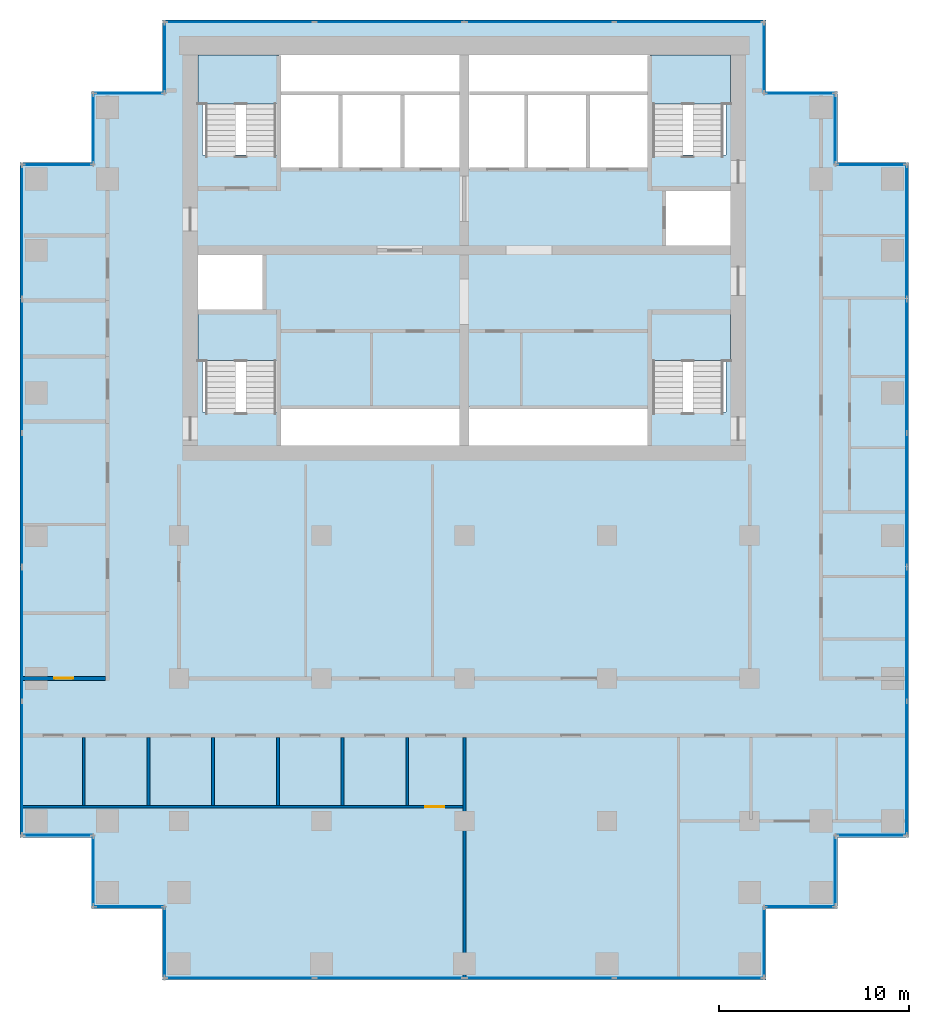
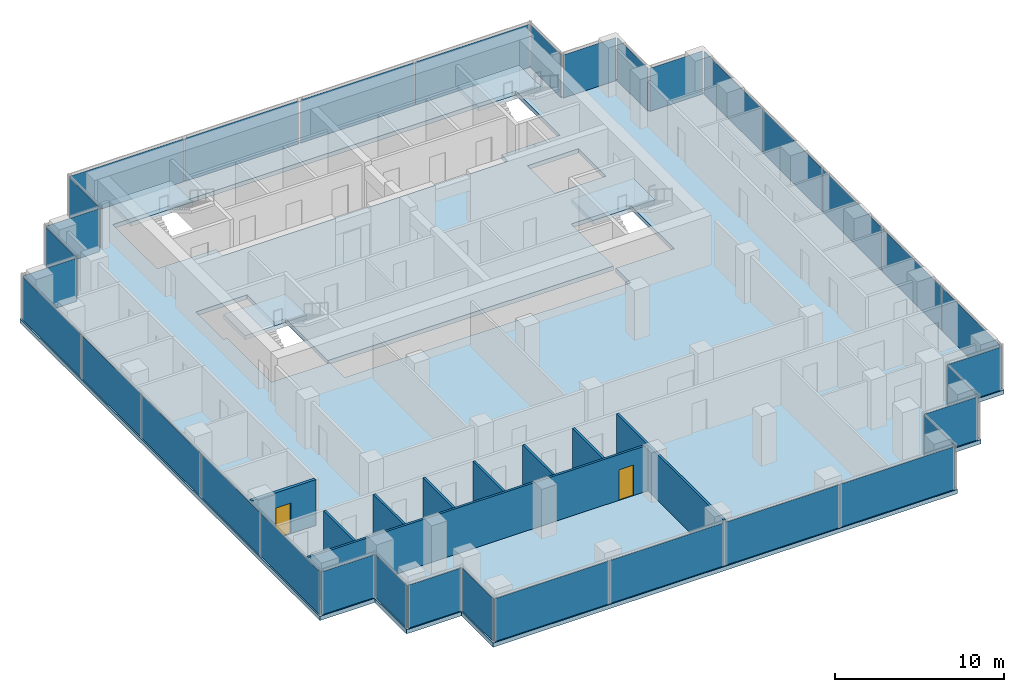
# One storey, part 6 of 11: 34 plates, 9 walls, 5 slabs, 2 doors, 2 openings, 30 elements without a shape of their own.
"""IFC4 building model written with IfcOpenShell, lengths in metres."""

from ifc_helpers import new_model, si_unit, direction, frame, frame_2d, origin, origin_2d, place, context, subcontext, project, spatial, polyline, rectangle, outline, extrude, material, layer, layer_set, type_object, element, fill, aggregate, save


model = new_model("IFC4")

# Units and contexts
model_context = context("Model", 3, precision=1e-05, world=origin(), true_north=direction((0.0, 1.0)))
body_context = subcontext(model_context, "Body", "Model", "MODEL_VIEW")
ifc_project = project(units=[si_unit("LENGTHUNIT", "METRE"), si_unit("AREAUNIT", "SQUARE_METRE"), si_unit("VOLUMEUNIT", "CUBIC_METRE"), si_unit("PLANEANGLEUNIT", "RADIAN"), si_unit("MASSUNIT", "GRAM", prefix="KILO")], contexts=[model_context])

# Site, building, storey
site_placement = place(None, origin())
site = spatial("IfcSite", under=ifc_project, at=site_placement, CompositionType="ELEMENT")
building_placement = place(site_placement, origin())
building = spatial("IfcBuilding", under=site, at=building_placement, Name="Pilkhan Gate Tower", CompositionType="ELEMENT")
storey_placement = place(building_placement, frame((0.0, 0.0, 151.300048828125)))
storey = spatial("IfcBuildingStorey", under=building, at=storey_placement, Name="L38", CompositionType="ELEMENT", Elevation=151.300048828125)

# Slab
ifc_material_1 = material(Name="Concrete C40/50", Category="concrete")
ifc_layer_1 = layer(ifc_material_1, 0.300048828125)
ifc_layer_set_1 = layer_set([ifc_layer_1], Name="Flat plate slab FP300")
slab_type_1 = type_object("IfcSlabType", Name="Flat plate slab FP300", PredefinedType="FLOOR", material=ifc_layer_set_1)
slab_1_placement = place(storey_placement, frame((0.0, 0.0, -0.300048828125)))
element("IfcSlab", 1, at=slab_1_placement, inside=storey, type_object=slab_type_1, Name="Floor slab L38", PredefinedType="FLOOR", context=body_context, shape_type="SweptSolid", body=[
    extrude(outline(polyline([(94.60009765625, 47.89990234375), (90.85009765625, 47.89990234375), (90.85009765625, 44.14990234375), (59.14990234375, 44.14990234375), (59.14990234375, 47.89990234375), (55.39990234375, 47.89990234375), (55.39990234375, 51.64990234375), (51.64990234375, 51.64990234375), (51.64990234375, 87.10009765625), (55.39990234375, 87.10009765625), (55.39990234375, 90.85009765625), (59.14990234375, 90.85009765625), (59.14990234375, 94.60009765625), (90.85009765625, 94.60009765625), (90.85009765625, 90.85009765625), (94.60009765625, 90.85009765625), (94.60009765625, 87.10009765625), (98.35009765625, 87.10009765625), (98.35009765625, 51.64990234375), (94.60009765625, 51.64990234375), (94.60009765625, 47.89990234375)]), holes=[polyline([(75.0, 72.25), (84.75, 72.25), (84.75, 74.0), (88.75, 74.0), (88.75, 79.25), (84.75, 79.25), (84.75, 74.25), (75.0, 74.25), (65.25, 74.25), (65.25, 79.25), (64.5, 79.25), (64.5, 82.5), (61.25, 82.5), (61.0, 82.5), (61.0, 79.25), (61.25, 79.25), (61.25, 74.0), (65.25, 74.0), (65.25, 72.25), (75.0, 72.25)]), polyline([(68.5, 86.75), (71.75, 86.75), (75.0, 86.75), (78.25, 86.75), (81.5, 86.75), (84.75, 86.75), (84.75, 87.5), (88.75, 87.5), (88.75, 92.75), (84.75, 92.75), (75.0, 92.75), (65.25, 92.75), (61.25, 92.75), (61.25, 87.5), (65.25, 87.5), (65.25, 86.75), (68.5, 86.75)]), polyline([(85.5, 85.75), (85.5, 82.5), (88.75, 82.5), (89.0, 82.5), (89.0, 85.75), (88.75, 85.75), (85.5, 85.75)])]), origin(), (0.0, 0.0, 1.0), 0.300048828125),
])

# Curtain wall, plates
ifc_material_2 = material(Name="Pale anodised aluminium, clear low-iron double glazing", Category="aluminium")
curtain_wall_type = type_object("IfcCurtainWallType", Name="Office unitised curtain wall CW-O1", PredefinedType="USERDEFINED", material=ifc_material_2)
curtain_wall_1_placement = place(storey_placement, origin())
curtain_wall_1 = element("IfcCurtainWall", 2, at=curtain_wall_1_placement, inside=storey, type_object=curtain_wall_type, Name="Office unitised curtain wall CW-O1 L38 E", ObjectType="UNITISED CURTAIN WALL", PredefinedType="USERDEFINED")
ifc_material_3 = material(Name="Clear low-iron double glazing", Category="glass")
ifc_layer_2 = layer(ifc_material_3, 0.0400390625)
ifc_layer_set_2 = layer_set([ifc_layer_2], Name="Glass panel CW-O1 40")
plate_type = type_object("IfcPlateType", Name="Glass panel CW-O1 40", PredefinedType="CURTAIN_PANEL", material=ifc_layer_set_2)
plate_1_placement = place(storey_placement, frame((98.25, 55.29248046875, 0.0), z_axis=(0.0, 0.0, 1.0), x_axis=(0.0, 1.0, 0.0)))
plate_1 = element("IfcPlate", 3, at=plate_1_placement, type_object=plate_type, Name="CW-O1 panel 1", PredefinedType="CURTAIN_PANEL", context=body_context, shape_type="SweptSolid", body=[
    extrude(rectangle(XDim=6.945068359375, YDim=0.0400390625, at=origin_2d()), origin(), (0.0, 0.0, 1.0), 3.10009765625),
])
plate_2_placement = place(storey_placement, frame((98.25, 62.3076171875, 0.0), z_axis=(0.0, 0.0, 1.0), x_axis=(0.0, 1.0, 0.0)))
plate_2 = element("IfcPlate", 4, at=plate_2_placement, type_object=plate_type, Name="CW-O1 panel 2", PredefinedType="CURTAIN_PANEL", context=body_context, shape_type="SweptSolid", body=[
    extrude(rectangle(XDim=6.945068359375, YDim=0.0400390625, at=origin_2d()), origin(), (0.0, 0.0, 1.0), 3.10009765625),
])
aggregate(curtain_wall_1, [plate_1, plate_2])

curtain_wall_2_placement = place(storey_placement, origin())
curtain_wall_2 = element("IfcCurtainWall", 5, at=curtain_wall_2_placement, inside=storey, type_object=curtain_wall_type, Name="Office unitised curtain wall CW-O1 L38 E", ObjectType="UNITISED CURTAIN WALL", PredefinedType="USERDEFINED")
plate_3_placement = place(storey_placement, frame((98.25, 69.392578125, 0.0), z_axis=(0.0, 0.0, 1.0), x_axis=(0.0, 1.0, 0.0)))
plate_3 = element("IfcPlate", 6, at=plate_3_placement, type_object=plate_type, Name="CW-O1 panel 1", PredefinedType="CURTAIN_PANEL", context=body_context, shape_type="SweptSolid", body=[
    extrude(rectangle(XDim=6.945068359375, YDim=0.0400390625, at=origin_2d()), origin(), (0.0, 0.0, 1.0), 3.10009765625),
])
plate_4_placement = place(storey_placement, frame((98.25, 76.407470703125, 0.0), z_axis=(0.0, 0.0, 1.0), x_axis=(0.0, 1.0, 0.0)))
plate_4 = element("IfcPlate", 7, at=plate_4_placement, type_object=plate_type, Name="CW-O1 panel 2", PredefinedType="CURTAIN_PANEL", context=body_context, shape_type="SweptSolid", body=[
    extrude(rectangle(XDim=6.945068359375, YDim=0.0400390625, at=origin_2d()), origin(), (0.0, 0.0, 1.0), 3.10009765625),
])
aggregate(curtain_wall_2, [plate_3, plate_4])

# Curtain wall, plate
curtain_wall_3_placement = place(storey_placement, origin())
curtain_wall_3 = element("IfcCurtainWall", 8, at=curtain_wall_3_placement, inside=storey, type_object=curtain_wall_type, Name="Office unitised curtain wall CW-O1 L38 E", ObjectType="UNITISED CURTAIN WALL", PredefinedType="USERDEFINED")
plate_5_placement = place(storey_placement, frame((98.25, 83.47509765625, 0.0), z_axis=(0.0, 0.0, 1.0), x_axis=(0.0, 1.0, 0.0)))
plate_5 = element("IfcPlate", 9, at=plate_5_placement, type_object=plate_type, Name="CW-O1 panel 1", PredefinedType="CURTAIN_PANEL", context=body_context, shape_type="SweptSolid", body=[
    extrude(rectangle(XDim=6.909912109375, YDim=0.0400390625, at=origin_2d()), origin(), (0.0, 0.0, 1.0), 3.10009765625),
])
aggregate(curtain_wall_3, [plate_5])

curtain_wall_4_placement = place(storey_placement, origin())
curtain_wall_4 = element("IfcCurtainWall", 10, at=curtain_wall_4_placement, inside=storey, type_object=curtain_wall_type, Name="Office unitised curtain wall CW-O1 L38 N", ObjectType="UNITISED CURTAIN WALL", PredefinedType="USERDEFINED")
plate_6_placement = place(storey_placement, frame((96.375, 87.0, 0.0), z_axis=(0.0, 0.0, 1.0), x_axis=(1.0, 0.0, 0.0)))
plate_6 = element("IfcPlate", 11, at=plate_6_placement, type_object=plate_type, Name="CW-O1 panel 1", PredefinedType="CURTAIN_PANEL", context=body_context, shape_type="SweptSolid", body=[
    extrude(rectangle(XDim=3.610107421875, YDim=0.0400390625, at=origin_2d()), origin(), (0.0, 0.0, 1.0), 3.10009765625),
])
aggregate(curtain_wall_4, [plate_6])

curtain_wall_5_placement = place(storey_placement, origin())
curtain_wall_5 = element("IfcCurtainWall", 12, at=curtain_wall_5_placement, inside=storey, type_object=curtain_wall_type, Name="Office unitised curtain wall CW-O1 L38 E", ObjectType="UNITISED CURTAIN WALL", PredefinedType="USERDEFINED")
plate_7_placement = place(storey_placement, frame((94.5, 88.875, 0.0), z_axis=(0.0, 0.0, 1.0), x_axis=(0.0, 1.0, 0.0)))
plate_7 = element("IfcPlate", 13, at=plate_7_placement, type_object=plate_type, Name="CW-O1 panel 1", PredefinedType="CURTAIN_PANEL", context=body_context, shape_type="SweptSolid", body=[
    extrude(rectangle(XDim=3.610107421875, YDim=0.0400390625, at=origin_2d()), origin(), (0.0, 0.0, 1.0), 3.10009765625),
])
aggregate(curtain_wall_5, [plate_7])

curtain_wall_6_placement = place(storey_placement, origin())
curtain_wall_6 = element("IfcCurtainWall", 14, at=curtain_wall_6_placement, inside=storey, type_object=curtain_wall_type, Name="Office unitised curtain wall CW-O1 L38 N", ObjectType="UNITISED CURTAIN WALL", PredefinedType="USERDEFINED")
plate_8_placement = place(storey_placement, frame((92.625, 90.75, 0.0), z_axis=(0.0, 0.0, 1.0), x_axis=(1.0, 0.0, 0.0)))
plate_8 = element("IfcPlate", 15, at=plate_8_placement, type_object=plate_type, Name="CW-O1 panel 1", PredefinedType="CURTAIN_PANEL", context=body_context, shape_type="SweptSolid", body=[
    extrude(rectangle(XDim=3.610107421875, YDim=0.0400390625, at=origin_2d()), origin(), (0.0, 0.0, 1.0), 3.10009765625),
])
aggregate(curtain_wall_6, [plate_8])

curtain_wall_7_placement = place(storey_placement, origin())
curtain_wall_7 = element("IfcCurtainWall", 16, at=curtain_wall_7_placement, inside=storey, type_object=curtain_wall_type, Name="Office unitised curtain wall CW-O1 L38 E", ObjectType="UNITISED CURTAIN WALL", PredefinedType="USERDEFINED")
plate_9_placement = place(storey_placement, frame((90.75, 92.625, 0.0), z_axis=(0.0, 0.0, 1.0), x_axis=(0.0, 1.0, 0.0)))
plate_9 = element("IfcPlate", 17, at=plate_9_placement, type_object=plate_type, Name="CW-O1 panel 1", PredefinedType="CURTAIN_PANEL", context=body_context, shape_type="SweptSolid", body=[
    extrude(rectangle(XDim=3.610107421875, YDim=0.0400390625, at=origin_2d()), origin(), (0.0, 0.0, 1.0), 3.10009765625),
])
aggregate(curtain_wall_7, [plate_9])

# Curtain wall, plates
curtain_wall_8_placement = place(storey_placement, origin())
curtain_wall_8 = element("IfcCurtainWall", 18, at=curtain_wall_8_placement, inside=storey, type_object=curtain_wall_type, Name="Office unitised curtain wall CW-O1 L38 N", ObjectType="UNITISED CURTAIN WALL", PredefinedType="USERDEFINED")
plate_10_placement = place(storey_placement, frame((63.205078125, 94.5, 0.0), z_axis=(0.0, 0.0, 1.0), x_axis=(1.0, 0.0, 0.0)))
plate_10 = element("IfcPlate", 19, at=plate_10_placement, type_object=plate_type, Name="CW-O1 panel 1", PredefinedType="CURTAIN_PANEL", context=body_context, shape_type="SweptSolid", body=[
    extrude(rectangle(XDim=7.77001953125, YDim=0.0400390625, at=origin_2d()), origin(), (0.0, 0.0, 1.0), 3.10009765625),
])
plate_11_placement = place(storey_placement, frame((71.044921875, 94.5, 0.0), z_axis=(0.0, 0.0, 1.0), x_axis=(1.0, 0.0, 0.0)))
plate_11 = element("IfcPlate", 20, at=plate_11_placement, type_object=plate_type, Name="CW-O1 panel 2", PredefinedType="CURTAIN_PANEL", context=body_context, shape_type="SweptSolid", body=[
    extrude(rectangle(XDim=7.77001953125, YDim=0.0400390625, at=origin_2d()), origin(), (0.0, 0.0, 1.0), 3.10009765625),
])
aggregate(curtain_wall_8, [plate_10, plate_11])

curtain_wall_9_placement = place(storey_placement, origin())
curtain_wall_9 = element("IfcCurtainWall", 21, at=curtain_wall_9_placement, inside=storey, type_object=curtain_wall_type, Name="Office unitised curtain wall CW-O1 L38 N", ObjectType="UNITISED CURTAIN WALL", PredefinedType="USERDEFINED")
plate_12_placement = place(storey_placement, frame((78.955078125, 94.5, 0.0), z_axis=(0.0, 0.0, 1.0), x_axis=(1.0, 0.0, 0.0)))
plate_12 = element("IfcPlate", 22, at=plate_12_placement, type_object=plate_type, Name="CW-O1 panel 1", PredefinedType="CURTAIN_PANEL", context=body_context, shape_type="SweptSolid", body=[
    extrude(rectangle(XDim=7.77001953125, YDim=0.0400390625, at=origin_2d()), origin(), (0.0, 0.0, 1.0), 3.10009765625),
])
plate_13_placement = place(storey_placement, frame((86.794921875, 94.5, 0.0), z_axis=(0.0, 0.0, 1.0), x_axis=(1.0, 0.0, 0.0)))
plate_13 = element("IfcPlate", 23, at=plate_13_placement, type_object=plate_type, Name="CW-O1 panel 2", PredefinedType="CURTAIN_PANEL", context=body_context, shape_type="SweptSolid", body=[
    extrude(rectangle(XDim=7.77001953125, YDim=0.0400390625, at=origin_2d()), origin(), (0.0, 0.0, 1.0), 3.10009765625),
])
aggregate(curtain_wall_9, [plate_12, plate_13])

# Curtain wall, plate
curtain_wall_10_placement = place(storey_placement, origin())
curtain_wall_10 = element("IfcCurtainWall", 24, at=curtain_wall_10_placement, inside=storey, type_object=curtain_wall_type, Name="Office unitised curtain wall CW-O1 L38 W", ObjectType="UNITISED CURTAIN WALL", PredefinedType="USERDEFINED")
plate_14_placement = place(storey_placement, frame((59.25, 92.625, 0.0), z_axis=(0.0, 0.0, 1.0), x_axis=(0.0, 1.0, 0.0)))
plate_14 = element("IfcPlate", 25, at=plate_14_placement, type_object=plate_type, Name="CW-O1 panel 1", PredefinedType="CURTAIN_PANEL", context=body_context, shape_type="SweptSolid", body=[
    extrude(rectangle(XDim=3.610107421875, YDim=0.0400390625, at=origin_2d()), origin(), (0.0, 0.0, 1.0), 3.10009765625),
])
aggregate(curtain_wall_10, [plate_14])

curtain_wall_11_placement = place(storey_placement, origin())
curtain_wall_11 = element("IfcCurtainWall", 26, at=curtain_wall_11_placement, inside=storey, type_object=curtain_wall_type, Name="Office unitised curtain wall CW-O1 L38 N", ObjectType="UNITISED CURTAIN WALL", PredefinedType="USERDEFINED")
plate_15_placement = place(storey_placement, frame((57.375, 90.75, 0.0), z_axis=(0.0, 0.0, 1.0), x_axis=(1.0, 0.0, 0.0)))
plate_15 = element("IfcPlate", 27, at=plate_15_placement, type_object=plate_type, Name="CW-O1 panel 1", PredefinedType="CURTAIN_PANEL", context=body_context, shape_type="SweptSolid", body=[
    extrude(rectangle(XDim=3.610107421875, YDim=0.0400390625, at=origin_2d()), origin(), (0.0, 0.0, 1.0), 3.10009765625),
])
aggregate(curtain_wall_11, [plate_15])

curtain_wall_12_placement = place(storey_placement, origin())
curtain_wall_12 = element("IfcCurtainWall", 28, at=curtain_wall_12_placement, inside=storey, type_object=curtain_wall_type, Name="Office unitised curtain wall CW-O1 L38 W", ObjectType="UNITISED CURTAIN WALL", PredefinedType="USERDEFINED")
plate_16_placement = place(storey_placement, frame((55.5, 88.875, 0.0), z_axis=(0.0, 0.0, 1.0), x_axis=(0.0, 1.0, 0.0)))
plate_16 = element("IfcPlate", 29, at=plate_16_placement, type_object=plate_type, Name="CW-O1 panel 1", PredefinedType="CURTAIN_PANEL", context=body_context, shape_type="SweptSolid", body=[
    extrude(rectangle(XDim=3.610107421875, YDim=0.0400390625, at=origin_2d()), origin(), (0.0, 0.0, 1.0), 3.10009765625),
])
aggregate(curtain_wall_12, [plate_16])

curtain_wall_13_placement = place(storey_placement, origin())
curtain_wall_13 = element("IfcCurtainWall", 30, at=curtain_wall_13_placement, inside=storey, type_object=curtain_wall_type, Name="Office unitised curtain wall CW-O1 L38 N", ObjectType="UNITISED CURTAIN WALL", PredefinedType="USERDEFINED")
plate_17_placement = place(storey_placement, frame((53.625, 87.0, 0.0), z_axis=(0.0, 0.0, 1.0), x_axis=(1.0, 0.0, 0.0)))
plate_17 = element("IfcPlate", 31, at=plate_17_placement, type_object=plate_type, Name="CW-O1 panel 1", PredefinedType="CURTAIN_PANEL", context=body_context, shape_type="SweptSolid", body=[
    extrude(rectangle(XDim=3.610107421875, YDim=0.0400390625, at=origin_2d()), origin(), (0.0, 0.0, 1.0), 3.10009765625),
])
aggregate(curtain_wall_13, [plate_17])

# Curtain wall, plates
curtain_wall_14_placement = place(storey_placement, origin())
curtain_wall_14 = element("IfcCurtainWall", 32, at=curtain_wall_14_placement, inside=storey, type_object=curtain_wall_type, Name="Office unitised curtain wall CW-O1 L38 W", ObjectType="UNITISED CURTAIN WALL", PredefinedType="USERDEFINED")
plate_18_placement = place(storey_placement, frame((51.75, 55.29248046875, 0.0), z_axis=(0.0, 0.0, 1.0), x_axis=(0.0, 1.0, 0.0)))
plate_18 = element("IfcPlate", 33, at=plate_18_placement, type_object=plate_type, Name="CW-O1 panel 1", PredefinedType="CURTAIN_PANEL", context=body_context, shape_type="SweptSolid", body=[
    extrude(rectangle(XDim=6.945068359375, YDim=0.0400390625, at=origin_2d()), origin(), (0.0, 0.0, 1.0), 3.10009765625),
])
plate_19_placement = place(storey_placement, frame((51.75, 62.3076171875, 0.0), z_axis=(0.0, 0.0, 1.0), x_axis=(0.0, 1.0, 0.0)))
plate_19 = element("IfcPlate", 34, at=plate_19_placement, type_object=plate_type, Name="CW-O1 panel 2", PredefinedType="CURTAIN_PANEL", context=body_context, shape_type="SweptSolid", body=[
    extrude(rectangle(XDim=6.945068359375, YDim=0.0400390625, at=origin_2d()), origin(), (0.0, 0.0, 1.0), 3.10009765625),
])
aggregate(curtain_wall_14, [plate_18, plate_19])

curtain_wall_15_placement = place(storey_placement, origin())
curtain_wall_15 = element("IfcCurtainWall", 35, at=curtain_wall_15_placement, inside=storey, type_object=curtain_wall_type, Name="Office unitised curtain wall CW-O1 L38 W", ObjectType="UNITISED CURTAIN WALL", PredefinedType="USERDEFINED")
plate_20_placement = place(storey_placement, frame((51.75, 69.392578125, 0.0), z_axis=(0.0, 0.0, 1.0), x_axis=(0.0, 1.0, 0.0)))
plate_20 = element("IfcPlate", 36, at=plate_20_placement, type_object=plate_type, Name="CW-O1 panel 1", PredefinedType="CURTAIN_PANEL", context=body_context, shape_type="SweptSolid", body=[
    extrude(rectangle(XDim=6.945068359375, YDim=0.0400390625, at=origin_2d()), origin(), (0.0, 0.0, 1.0), 3.10009765625),
])
plate_21_placement = place(storey_placement, frame((51.75, 76.407470703125, 0.0), z_axis=(0.0, 0.0, 1.0), x_axis=(0.0, 1.0, 0.0)))
plate_21 = element("IfcPlate", 37, at=plate_21_placement, type_object=plate_type, Name="CW-O1 panel 2", PredefinedType="CURTAIN_PANEL", context=body_context, shape_type="SweptSolid", body=[
    extrude(rectangle(XDim=6.945068359375, YDim=0.0400390625, at=origin_2d()), origin(), (0.0, 0.0, 1.0), 3.10009765625),
])
aggregate(curtain_wall_15, [plate_20, plate_21])

# Curtain wall, plate
curtain_wall_16_placement = place(storey_placement, origin())
curtain_wall_16 = element("IfcCurtainWall", 38, at=curtain_wall_16_placement, inside=storey, type_object=curtain_wall_type, Name="Office unitised curtain wall CW-O1 L38 W", ObjectType="UNITISED CURTAIN WALL", PredefinedType="USERDEFINED")
plate_22_placement = place(storey_placement, frame((51.75, 83.47509765625, 0.0), z_axis=(0.0, 0.0, 1.0), x_axis=(0.0, 1.0, 0.0)))
plate_22 = element("IfcPlate", 39, at=plate_22_placement, type_object=plate_type, Name="CW-O1 panel 1", PredefinedType="CURTAIN_PANEL", context=body_context, shape_type="SweptSolid", body=[
    extrude(rectangle(XDim=6.909912109375, YDim=0.0400390625, at=origin_2d()), origin(), (0.0, 0.0, 1.0), 3.10009765625),
])
aggregate(curtain_wall_16, [plate_22])

curtain_wall_17_placement = place(storey_placement, origin())
curtain_wall_17 = element("IfcCurtainWall", 40, at=curtain_wall_17_placement, inside=storey, type_object=curtain_wall_type, Name="Office unitised curtain wall CW-O1 L38 S", ObjectType="UNITISED CURTAIN WALL", PredefinedType="USERDEFINED")
plate_23_placement = place(storey_placement, frame((53.625, 51.75, 0.0), z_axis=(0.0, 0.0, 1.0), x_axis=(1.0, 0.0, 0.0)))
plate_23 = element("IfcPlate", 41, at=plate_23_placement, type_object=plate_type, Name="CW-O1 panel 1", PredefinedType="CURTAIN_PANEL", context=body_context, shape_type="SweptSolid", body=[
    extrude(rectangle(XDim=3.610107421875, YDim=0.0400390625, at=origin_2d()), origin(), (0.0, 0.0, 1.0), 3.10009765625),
])
aggregate(curtain_wall_17, [plate_23])

curtain_wall_18_placement = place(storey_placement, origin())
curtain_wall_18 = element("IfcCurtainWall", 42, at=curtain_wall_18_placement, inside=storey, type_object=curtain_wall_type, Name="Office unitised curtain wall CW-O1 L38 W", ObjectType="UNITISED CURTAIN WALL", PredefinedType="USERDEFINED")
plate_24_placement = place(storey_placement, frame((55.5, 49.875, 0.0), z_axis=(0.0, 0.0, 1.0), x_axis=(0.0, 1.0, 0.0)))
plate_24 = element("IfcPlate", 43, at=plate_24_placement, type_object=plate_type, Name="CW-O1 panel 1", PredefinedType="CURTAIN_PANEL", context=body_context, shape_type="SweptSolid", body=[
    extrude(rectangle(XDim=3.610107421875, YDim=0.0400390625, at=origin_2d()), origin(), (0.0, 0.0, 1.0), 3.10009765625),
])
aggregate(curtain_wall_18, [plate_24])

curtain_wall_19_placement = place(storey_placement, origin())
curtain_wall_19 = element("IfcCurtainWall", 44, at=curtain_wall_19_placement, inside=storey, type_object=curtain_wall_type, Name="Office unitised curtain wall CW-O1 L38 S", ObjectType="UNITISED CURTAIN WALL", PredefinedType="USERDEFINED")
plate_25_placement = place(storey_placement, frame((57.375, 48.0, 0.0), z_axis=(0.0, 0.0, 1.0), x_axis=(1.0, 0.0, 0.0)))
plate_25 = element("IfcPlate", 45, at=plate_25_placement, type_object=plate_type, Name="CW-O1 panel 1", PredefinedType="CURTAIN_PANEL", context=body_context, shape_type="SweptSolid", body=[
    extrude(rectangle(XDim=3.610107421875, YDim=0.0400390625, at=origin_2d()), origin(), (0.0, 0.0, 1.0), 3.10009765625),
])
aggregate(curtain_wall_19, [plate_25])

curtain_wall_20_placement = place(storey_placement, origin())
curtain_wall_20 = element("IfcCurtainWall", 46, at=curtain_wall_20_placement, inside=storey, type_object=curtain_wall_type, Name="Office unitised curtain wall CW-O1 L38 W", ObjectType="UNITISED CURTAIN WALL", PredefinedType="USERDEFINED")
plate_26_placement = place(storey_placement, frame((59.25, 46.125, 0.0), z_axis=(0.0, 0.0, 1.0), x_axis=(0.0, 1.0, 0.0)))
plate_26 = element("IfcPlate", 47, at=plate_26_placement, type_object=plate_type, Name="CW-O1 panel 1", PredefinedType="CURTAIN_PANEL", context=body_context, shape_type="SweptSolid", body=[
    extrude(rectangle(XDim=3.610107421875, YDim=0.0400390625, at=origin_2d()), origin(), (0.0, 0.0, 1.0), 3.10009765625),
])
aggregate(curtain_wall_20, [plate_26])

# Curtain wall, plates
curtain_wall_21_placement = place(storey_placement, origin())
curtain_wall_21 = element("IfcCurtainWall", 48, at=curtain_wall_21_placement, inside=storey, type_object=curtain_wall_type, Name="Office unitised curtain wall CW-O1 L38 S", ObjectType="UNITISED CURTAIN WALL", PredefinedType="USERDEFINED")
plate_27_placement = place(storey_placement, frame((63.205078125, 44.25, 0.0), z_axis=(0.0, 0.0, 1.0), x_axis=(1.0, 0.0, 0.0)))
plate_27 = element("IfcPlate", 49, at=plate_27_placement, type_object=plate_type, Name="CW-O1 panel 1", PredefinedType="CURTAIN_PANEL", context=body_context, shape_type="SweptSolid", body=[
    extrude(rectangle(XDim=7.77001953125, YDim=0.0400390625, at=origin_2d()), origin(), (0.0, 0.0, 1.0), 3.10009765625),
])
plate_28_placement = place(storey_placement, frame((71.044921875, 44.25, 0.0), z_axis=(0.0, 0.0, 1.0), x_axis=(1.0, 0.0, 0.0)))
plate_28 = element("IfcPlate", 50, at=plate_28_placement, type_object=plate_type, Name="CW-O1 panel 2", PredefinedType="CURTAIN_PANEL", context=body_context, shape_type="SweptSolid", body=[
    extrude(rectangle(XDim=7.77001953125, YDim=0.0400390625, at=origin_2d()), origin(), (0.0, 0.0, 1.0), 3.10009765625),
])
aggregate(curtain_wall_21, [plate_27, plate_28])

curtain_wall_22_placement = place(storey_placement, origin())
curtain_wall_22 = element("IfcCurtainWall", 51, at=curtain_wall_22_placement, inside=storey, type_object=curtain_wall_type, Name="Office unitised curtain wall CW-O1 L38 S", ObjectType="UNITISED CURTAIN WALL", PredefinedType="USERDEFINED")
plate_29_placement = place(storey_placement, frame((78.955078125, 44.25, 0.0), z_axis=(0.0, 0.0, 1.0), x_axis=(1.0, 0.0, 0.0)))
plate_29 = element("IfcPlate", 52, at=plate_29_placement, type_object=plate_type, Name="CW-O1 panel 1", PredefinedType="CURTAIN_PANEL", context=body_context, shape_type="SweptSolid", body=[
    extrude(rectangle(XDim=7.77001953125, YDim=0.0400390625, at=origin_2d()), origin(), (0.0, 0.0, 1.0), 3.10009765625),
])
plate_30_placement = place(storey_placement, frame((86.794921875, 44.25, 0.0), z_axis=(0.0, 0.0, 1.0), x_axis=(1.0, 0.0, 0.0)))
plate_30 = element("IfcPlate", 53, at=plate_30_placement, type_object=plate_type, Name="CW-O1 panel 2", PredefinedType="CURTAIN_PANEL", context=body_context, shape_type="SweptSolid", body=[
    extrude(rectangle(XDim=7.77001953125, YDim=0.0400390625, at=origin_2d()), origin(), (0.0, 0.0, 1.0), 3.10009765625),
])
aggregate(curtain_wall_22, [plate_29, plate_30])

# Curtain wall, plate
curtain_wall_23_placement = place(storey_placement, origin())
curtain_wall_23 = element("IfcCurtainWall", 54, at=curtain_wall_23_placement, inside=storey, type_object=curtain_wall_type, Name="Office unitised curtain wall CW-O1 L38 E", ObjectType="UNITISED CURTAIN WALL", PredefinedType="USERDEFINED")
plate_31_placement = place(storey_placement, frame((90.75, 46.125, 0.0), z_axis=(0.0, 0.0, 1.0), x_axis=(0.0, 1.0, 0.0)))
plate_31 = element("IfcPlate", 55, at=plate_31_placement, type_object=plate_type, Name="CW-O1 panel 1", PredefinedType="CURTAIN_PANEL", context=body_context, shape_type="SweptSolid", body=[
    extrude(rectangle(XDim=3.610107421875, YDim=0.0400390625, at=origin_2d()), origin(), (0.0, 0.0, 1.0), 3.10009765625),
])
aggregate(curtain_wall_23, [plate_31])

curtain_wall_24_placement = place(storey_placement, origin())
curtain_wall_24 = element("IfcCurtainWall", 56, at=curtain_wall_24_placement, inside=storey, type_object=curtain_wall_type, Name="Office unitised curtain wall CW-O1 L38 S", ObjectType="UNITISED CURTAIN WALL", PredefinedType="USERDEFINED")
plate_32_placement = place(storey_placement, frame((92.625, 48.0, 0.0), z_axis=(0.0, 0.0, 1.0), x_axis=(1.0, 0.0, 0.0)))
plate_32 = element("IfcPlate", 57, at=plate_32_placement, type_object=plate_type, Name="CW-O1 panel 1", PredefinedType="CURTAIN_PANEL", context=body_context, shape_type="SweptSolid", body=[
    extrude(rectangle(XDim=3.610107421875, YDim=0.0400390625, at=origin_2d()), origin(), (0.0, 0.0, 1.0), 3.10009765625),
])
aggregate(curtain_wall_24, [plate_32])

curtain_wall_25_placement = place(storey_placement, origin())
curtain_wall_25 = element("IfcCurtainWall", 58, at=curtain_wall_25_placement, inside=storey, type_object=curtain_wall_type, Name="Office unitised curtain wall CW-O1 L38 E", ObjectType="UNITISED CURTAIN WALL", PredefinedType="USERDEFINED")
plate_33_placement = place(storey_placement, frame((94.5, 49.875, 0.0), z_axis=(0.0, 0.0, 1.0), x_axis=(0.0, 1.0, 0.0)))
plate_33 = element("IfcPlate", 59, at=plate_33_placement, type_object=plate_type, Name="CW-O1 panel 1", PredefinedType="CURTAIN_PANEL", context=body_context, shape_type="SweptSolid", body=[
    extrude(rectangle(XDim=3.610107421875, YDim=0.0400390625, at=origin_2d()), origin(), (0.0, 0.0, 1.0), 3.10009765625),
])
aggregate(curtain_wall_25, [plate_33])

curtain_wall_26_placement = place(storey_placement, origin())
curtain_wall_26 = element("IfcCurtainWall", 60, at=curtain_wall_26_placement, inside=storey, type_object=curtain_wall_type, Name="Office unitised curtain wall CW-O1 L38 S", ObjectType="UNITISED CURTAIN WALL", PredefinedType="USERDEFINED")
plate_34_placement = place(storey_placement, frame((96.375, 51.75, 0.0), z_axis=(0.0, 0.0, 1.0), x_axis=(1.0, 0.0, 0.0)))
plate_34 = element("IfcPlate", 61, at=plate_34_placement, type_object=plate_type, Name="CW-O1 panel 1", PredefinedType="CURTAIN_PANEL", context=body_context, shape_type="SweptSolid", body=[
    extrude(rectangle(XDim=3.610107421875, YDim=0.0400390625, at=origin_2d()), origin(), (0.0, 0.0, 1.0), 3.10009765625),
])
aggregate(curtain_wall_26, [plate_34])

# Stair, slab
ifc_material_4 = material(Name="Concrete C40/50 precast", Category="concrete")
stair_type_1 = type_object("IfcStairType", Name="Stair ST1 164x280", PredefinedType="HALF_TURN_STAIR", material=ifc_material_4)
stair_1_placement = place(storey_placement, origin())
stair_1 = element("IfcStair", 62, at=stair_1_placement, inside=storey, type_object=stair_type_1, Name="Stair ST1 L38", PredefinedType="HALF_TURN_STAIR")
ifc_layer_3 = layer(ifc_material_1, 0.199951171875)
ifc_layer_set_3 = layer_set([ifc_layer_3], Name="Stair landing SL200")
slab_type_2 = type_object("IfcSlabType", Name="Stair landing SL200", PredefinedType="LANDING", material=ifc_layer_set_3)
slab_2_placement = place(storey_placement, frame((0.0, 0.0, 1.5)))
slab_2 = element("IfcSlab", 63, at=slab_2_placement, type_object=slab_type_2, Name="ST1 landing 1", PredefinedType="LANDING", context=body_context, shape_type="SweptSolid", body=[
    extrude(outline(polyline([(89.0, 76.699951171875), (89.0, 79.25), (84.75, 79.25), (84.75, 76.699951171875), (89.0, 76.699951171875)])), origin(), (0.0, 0.0, 1.0), 0.300048828125),
])
aggregate(stair_1, [slab_2])

stair_type_2 = type_object("IfcStairType", Name="Stair ST2 164x280", PredefinedType="HALF_TURN_STAIR", material=ifc_material_4)
stair_2_placement = place(storey_placement, origin())
stair_2 = element("IfcStair", 64, at=stair_2_placement, inside=storey, type_object=stair_type_2, Name="Stair ST2 L38", PredefinedType="HALF_TURN_STAIR")
slab_3_placement = place(storey_placement, frame((0.0, 0.0, 1.5)))
slab_3 = element("IfcSlab", 65, at=slab_3_placement, type_object=slab_type_2, Name="ST2 landing 1", PredefinedType="LANDING", context=body_context, shape_type="SweptSolid", body=[
    extrude(outline(polyline([(65.25, 76.699951171875), (65.25, 79.25), (61.0, 79.25), (61.0, 76.699951171875), (65.25, 76.699951171875)])), origin(), (0.0, 0.0, 1.0), 0.300048828125),
])
aggregate(stair_2, [slab_3])

stair_type_3 = type_object("IfcStairType", Name="Stair ST3 164x280", PredefinedType="HALF_TURN_STAIR", material=ifc_material_4)
stair_3_placement = place(storey_placement, origin())
stair_3 = element("IfcStair", 66, at=stair_3_placement, inside=storey, type_object=stair_type_3, Name="Stair ST3 L38", PredefinedType="HALF_TURN_STAIR")
slab_4_placement = place(storey_placement, frame((0.0, 0.0, 1.5)))
slab_4 = element("IfcSlab", 67, at=slab_4_placement, type_object=slab_type_2, Name="ST3 landing 1", PredefinedType="LANDING", context=body_context, shape_type="SweptSolid", body=[
    extrude(outline(polyline([(65.25, 90.199951171875), (65.25, 92.75), (61.0, 92.75), (61.0, 90.199951171875), (65.25, 90.199951171875)])), origin(), (0.0, 0.0, 1.0), 0.300048828125),
])
aggregate(stair_3, [slab_4])

stair_type_4 = type_object("IfcStairType", Name="Stair ST4 164x280", PredefinedType="HALF_TURN_STAIR", material=ifc_material_4)
stair_4_placement = place(storey_placement, origin())
stair_4 = element("IfcStair", 68, at=stair_4_placement, inside=storey, type_object=stair_type_4, Name="Stair ST4 L38", PredefinedType="HALF_TURN_STAIR")
slab_5_placement = place(storey_placement, frame((0.0, 0.0, 1.5)))
slab_5 = element("IfcSlab", 69, at=slab_5_placement, type_object=slab_type_2, Name="ST4 landing 1", PredefinedType="LANDING", context=body_context, shape_type="SweptSolid", body=[
    extrude(outline(polyline([(89.0, 90.199951171875), (89.0, 92.75), (84.75, 92.75), (84.75, 90.199951171875), (89.0, 90.199951171875)])), origin(), (0.0, 0.0, 1.0), 0.300048828125),
])
aggregate(stair_4, [slab_5])

# Wall, opening, door
ifc_material_5 = material(Name="Dense blockwork", Category="masonry")
ifc_layer_4 = layer(ifc_material_5, 0.199951171875)
ifc_layer_set_4 = layer_set([ifc_layer_4], Name="Lobby wall LW200")
wall_type_1 = type_object("IfcWallType", Name="Lobby wall LW200", PredefinedType="PARTITIONING", material=ifc_layer_set_4)
wall_1_placement = place(storey_placement, frame((51.735107421875, 60.0, 0.0), z_axis=(0.0, 0.0, 1.0), x_axis=(1.0, 0.0, 0.0)))
wall_1 = element("IfcWall", 70, at=wall_1_placement, inside=storey, type_object=wall_type_1, Name="Partition L38", PredefinedType="PARTITIONING", context=body_context, shape_type="SweptSolid", body=[
    extrude(rectangle(XDim=4.414794921875, YDim=0.199951171875, at=frame_2d((2.20751953125, 0.0))), origin(), (0.0, 0.0, 1.0), 3.300048828125),
])
opening_1_placement = place(wall_1_placement, frame((1.699951171875, 0.0, 0.0)))
opening_1 = element("IfcOpeningElement", 71, at=opening_1_placement, cuts=wall_1, Name="Opening L38-08", PredefinedType="OPENING", context=body_context, shape_type="SweptSolid", body=[
    extrude(rectangle(XDim=1.0, YDim=2.199951171875, at=frame_2d((0.5, 1.10009765625))), frame((0.0, 0.10986328125, 0.0), z_axis=(0.0, -1.0, 0.0), x_axis=(1.0, 0.0, 0.0)), (0.0, 0.0, 1.0), 0.219970703125),
])
ifc_material_6 = material(Name="Timber flush door, 30 minute fire resisting", Category="wood")
door_type = type_object("IfcDoorType", Name="Room door D03 1000x2200", OperationType="SINGLE_SWING_LEFT", PredefinedType="DOOR", material=ifc_material_6)
door_1_placement = place(opening_1_placement, origin())
door_1 = element("IfcDoor", 72, at=door_1_placement, inside=storey, type_object=door_type, Name="Room door", OperationType="SINGLE_SWING_RIGHT", OverallHeight=2.199951171875, OverallWidth=1.0, PredefinedType="DOOR", context=body_context, shape_type="SweptSolid", body=[
    extrude(rectangle(XDim=1.0, YDim=2.199951171875, at=frame_2d((0.5, 1.10009765625))), frame((0.0, 0.02490234375, 0.0), z_axis=(0.0, -1.0, 0.0), x_axis=(1.0, 0.0, 0.0)), (0.0, 0.0, 1.0), 0.050048828125),
])
fill(opening_1, door_1)

ifc_material_7 = material(Name="Blockwork partition, plastered both sides", Category="masonry")
ifc_layer_5 = layer(ifc_material_7, 0.14990234375)
ifc_layer_set_5 = layer_set([ifc_layer_5], Name="Partition PW150")
wall_type_2 = type_object("IfcWallType", Name="Partition PW150", PredefinedType="PARTITIONING", material=ifc_layer_set_5)
wall_2_placement = place(storey_placement, frame((51.735107421875, 53.25, 0.0), z_axis=(0.0, 0.0, 1.0), x_axis=(1.0, 0.0, 0.0)))
wall_2 = element("IfcWall", 73, at=wall_2_placement, inside=storey, type_object=wall_type_2, Name="Partition L38", PredefinedType="PARTITIONING", context=body_context, shape_type="SweptSolid", body=[
    extrude(rectangle(XDim=23.18994140625, YDim=0.14990234375, at=frame_2d((11.594970703125, 0.0))), origin(), (0.0, 0.0, 1.0), 3.300048828125),
])
opening_2_placement = place(wall_2_placement, frame((21.215087890625, 0.0, 0.0)))
opening_2 = element("IfcOpeningElement", 74, at=opening_2_placement, cuts=wall_2, Name="Opening L38-25", PredefinedType="OPENING", context=body_context, shape_type="SweptSolid", body=[
    extrude(rectangle(XDim=1.0, YDim=2.199951171875, at=frame_2d((0.5, 1.10009765625))), frame((0.0, 0.0849609375, 0.0), z_axis=(0.0, -1.0, 0.0), x_axis=(1.0, 0.0, 0.0)), (0.0, 0.0, 1.0), 0.169921875),
])
door_2_placement = place(opening_2_placement, origin())
door_2 = element("IfcDoor", 75, at=door_2_placement, inside=storey, type_object=door_type, Name="Room door", OperationType="SINGLE_SWING_LEFT", OverallHeight=2.199951171875, OverallWidth=1.0, PredefinedType="DOOR", context=body_context, shape_type="SweptSolid", body=[
    extrude(rectangle(XDim=1.0, YDim=2.199951171875, at=frame_2d((0.5, 1.10009765625))), frame((0.0, 0.02490234375, 0.0), z_axis=(0.0, -1.0, 0.0), x_axis=(1.0, 0.0, 0.0)), (0.0, 0.0, 1.0), 0.050048828125),
])
fill(opening_2, door_2)

# Walls
for number, where, z_axis, x_axis, name in (
    (76, (55.0, 53.324951171875, 0.0), (0.0, 0.0, 1.0), (0.0, 1.0, 0.0), "Partition L38"),
    (77, (58.39990234375, 53.324951171875, 0.0), (0.0, 0.0, 1.0), (0.0, 1.0, 0.0), "Partition L38"),
    (78, (61.800048828125, 53.324951171875, 0.0), (0.0, 0.0, 1.0), (0.0, 1.0, 0.0), "Partition L38"),
    (79, (65.199951171875, 53.324951171875, 0.0), (0.0, 0.0, 1.0), (0.0, 1.0, 0.0), "Partition L38"),
    (80, (68.60009765625, 53.324951171875, 0.0), (0.0, 0.0, 1.0), (0.0, 1.0, 0.0), "Partition L38"),
    (81, (72.0, 53.324951171875, 0.0), (0.0, 0.0, 1.0), (0.0, 1.0, 0.0), "Partition L38"),
):
    element("IfcWall", number, at=place(storey_placement, frame(where, z_axis=z_axis, x_axis=x_axis)), inside=storey, type_object=wall_type_2, Name=name, PredefinedType="PARTITIONING", context=body_context, shape_type="SweptSolid", body=[
        extrude(rectangle(XDim=3.574951171875, YDim=0.14990234375, at=frame_2d((1.78759765625, 0.0))), origin(), (0.0, 0.0, 1.0), 3.300048828125),
    ])
wall_3_placement = place(storey_placement, frame((75.0, 44.235107421875, 0.0), z_axis=(0.0, 0.0, 1.0), x_axis=(0.0, 1.0, 0.0)))
element("IfcWall", 82, at=wall_3_placement, inside=storey, type_object=wall_type_2, Name="Partition L38", PredefinedType="PARTITIONING", context=body_context, shape_type="SweptSolid", body=[
    extrude(rectangle(XDim=12.664794921875, YDim=0.14990234375, at=frame_2d((6.33251953125, 0.0))), origin(), (0.0, 0.0, 1.0), 3.300048828125),
])

save(model, "model.ifc")
